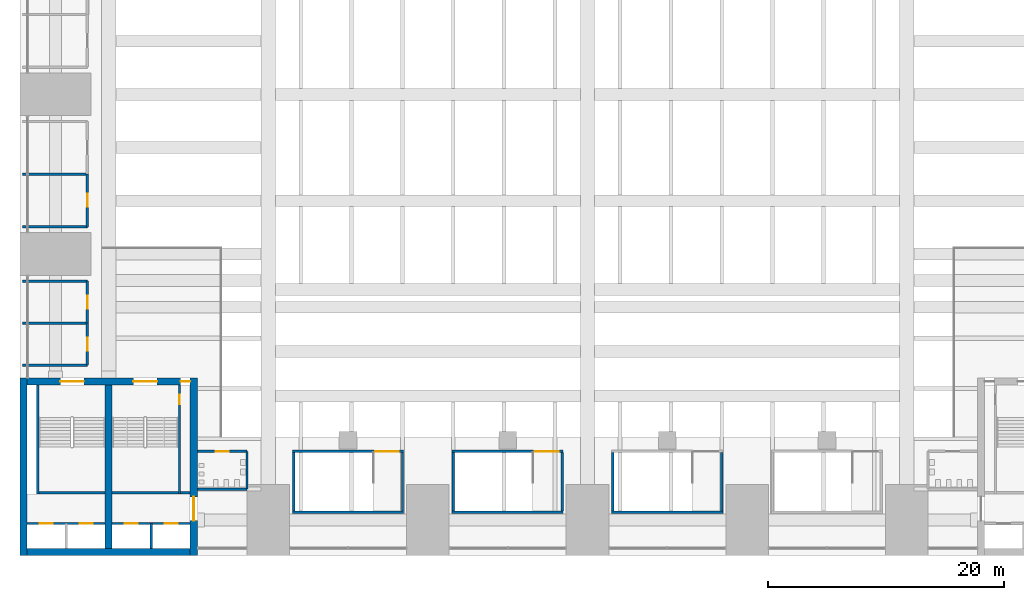
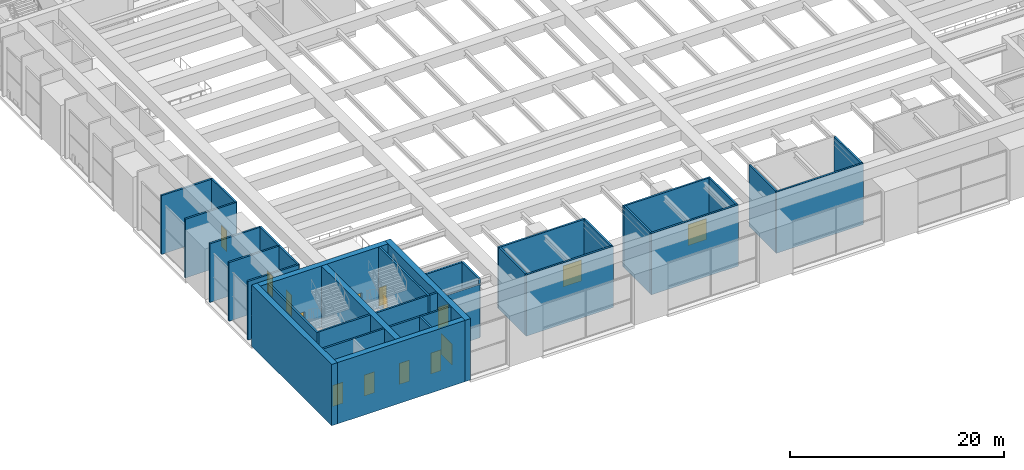
# One storey, part 25 of 45: 35 walls, 15 doors, 15 openings.
"""IFC4 building model written with IfcOpenShell, lengths in metres."""

from ifc_helpers import new_model, si_unit, direction, frame, frame_2d, origin, place, context, subcontext, project, spatial, rectangle, extrude, material, layer, layer_set, type_object, element, fill, save


model = new_model("IFC4")

# Units and contexts
model_context = context("Model", 3, precision=1e-05, world=origin(), true_north=direction((0.0, 1.0)))
body_context = subcontext(model_context, "Body", "Model", "MODEL_VIEW")
ifc_project = project(units=[si_unit("LENGTHUNIT", "METRE"), si_unit("AREAUNIT", "SQUARE_METRE"), si_unit("VOLUMEUNIT", "CUBIC_METRE"), si_unit("PLANEANGLEUNIT", "RADIAN"), si_unit("MASSUNIT", "GRAM", prefix="KILO")], contexts=[model_context])

# Site, building, storey
site_placement = place(None, origin())
site = spatial("IfcSite", under=ifc_project, at=site_placement, CompositionType="ELEMENT")
building_placement = place(site_placement, origin())
building = spatial("IfcBuilding", under=site, at=building_placement, Name="Corbelhall Arena Tower", CompositionType="ELEMENT")
storey_placement = place(building_placement, frame((0.0, 0.0, 37.0)))
storey = spatial("IfcBuildingStorey", under=building, at=storey_placement, Name="L05", CompositionType="ELEMENT", Elevation=37.0)

# Wall, opening, door
ifc_material_1 = material(Name="Gypsum board on steel studs", Category="steel")
ifc_layer_1 = layer(ifc_material_1, 0.199951171875)
ifc_layer_set_1 = layer_set([ifc_layer_1], Name="AR-ROOM-WALL")
wall_type_1 = type_object("IfcWallType", Name="AR-ROOM-WALL", PredefinedType="PARTITIONING", material=ifc_layer_set_1)
wall_1_placement = place(storey_placement, frame((-42.300048828125, -11.199951171875, 0.0), z_axis=(0.0, 0.0, 1.0), x_axis=(0.0, 1.0, 0.0)))
wall_1 = element("IfcWall", 1, at=wall_1_placement, inside=storey, type_object=wall_type_1, Name="Press office 5 wall", PredefinedType="PARTITIONING", context=body_context, shape_type="SweptSolid", body=[
    extrude(rectangle(XDim=4.449951171875, YDim=0.199951171875, at=frame_2d((2.22509765625, 0.0))), origin(), (0.0, 0.0, 1.0), 6.699951171875),
])
opening_1_placement = place(wall_1_placement, frame((1.675048828125, 0.0, 0.0)))
opening_1 = element("IfcOpeningElement", 2, at=opening_1_placement, cuts=wall_1, Name="Opening DA0449", PredefinedType="OPENING", context=body_context, shape_type="SweptSolid", body=[
    extrude(rectangle(XDim=1.10009765625, YDim=2.39990234375, at=frame_2d((0.550048828125, 1.199951171875))), frame((0.0, 0.10009765625, 0.0), z_axis=(0.0, -1.0, 0.0), x_axis=(1.0, 0.0, 0.0)), (0.0, 0.0, 1.0), 0.199951171875),
])
ifc_material_2 = material(Name="Timber", Category="wood")
door_type_1 = type_object("IfcDoorType", Name="AR-ROOM-DOOR", OperationType="DOUBLE_DOOR_SINGLE_SWING", PredefinedType="DOOR", material=ifc_material_2)
door_1_placement = place(opening_1_placement, origin())
door_1 = element("IfcDoor", 3, at=door_1_placement, inside=storey, type_object=door_type_1, Name="Press office 5 door", OperationType="DOUBLE_DOOR_SINGLE_SWING", OverallHeight=2.39990234375, OverallWidth=1.10009765625, PredefinedType="DOOR", context=body_context, shape_type="SweptSolid", body=[
    extrude(rectangle(XDim=1.10009765625, YDim=2.39990234375, at=frame_2d((0.550048828125, 1.199951171875))), frame((0.0, 0.02490234375, 0.0), z_axis=(0.0, -1.0, 0.0), x_axis=(1.0, 0.0, 0.0)), (0.0, 0.0, 1.0), 0.050048828125),
])
fill(opening_1, door_1)

# Walls
for number, where, z_axis, x_axis, name in (
    (4, (-42.300048828125, -11.199951171875, 0.0), (0.0, 0.0, 1.0), (-1.0, 0.0, 0.0), "Press office 5 end wall"),
    (5, (-47.800048828125, -6.75, 0.0), (0.0, 0.0, 1.0), (1.0, 0.0, 0.0), "Press office 5 partition"),
):
    element("IfcWall", number, at=place(storey_placement, frame(where, z_axis=z_axis, x_axis=x_axis)), inside=storey, type_object=wall_type_1, Name=name, PredefinedType="PARTITIONING", context=body_context, shape_type="SweptSolid", body=[
        extrude(rectangle(XDim=5.5, YDim=0.199951171875, at=frame_2d((2.75, 0.0))), origin(), (0.0, 0.0, 1.0), 6.699951171875),
    ])

# Wall, opening, door
wall_2_placement = place(storey_placement, frame((-42.300048828125, -22.89990234375, 0.0), z_axis=(0.0, 0.0, 1.0), x_axis=(0.0, 1.0, 0.0)))
wall_2 = element("IfcWall", 6, at=wall_2_placement, inside=storey, type_object=wall_type_1, Name="Broadcast office 4 wall", PredefinedType="PARTITIONING", context=body_context, shape_type="SweptSolid", body=[
    extrude(rectangle(XDim=3.5498046875, YDim=0.199951171875, at=frame_2d((1.77490234375, 0.0))), origin(), (0.0, 0.0, 1.0), 6.699951171875),
])
opening_2_placement = place(wall_2_placement, frame((1.22509765625, 0.0, 0.0)))
opening_2 = element("IfcOpeningElement", 7, at=opening_2_placement, cuts=wall_2, Name="Opening DA0453", PredefinedType="OPENING", context=body_context, shape_type="SweptSolid", body=[
    extrude(rectangle(XDim=1.10009765625, YDim=2.39990234375, at=frame_2d((0.550048828125, 1.199951171875))), frame((0.0, 0.10009765625, 0.0), z_axis=(0.0, -1.0, 0.0), x_axis=(1.0, 0.0, 0.0)), (0.0, 0.0, 1.0), 0.199951171875),
])
door_2_placement = place(opening_2_placement, origin())
door_2 = element("IfcDoor", 8, at=door_2_placement, inside=storey, type_object=door_type_1, Name="Broadcast office 4 door", OperationType="DOUBLE_DOOR_SINGLE_SWING", OverallHeight=2.39990234375, OverallWidth=1.10009765625, PredefinedType="DOOR", context=body_context, shape_type="SweptSolid", body=[
    extrude(rectangle(XDim=1.10009765625, YDim=2.39990234375, at=frame_2d((0.550048828125, 1.199951171875))), frame((0.0, 0.02490234375, 0.0), z_axis=(0.0, -1.0, 0.0), x_axis=(1.0, 0.0, 0.0)), (0.0, 0.0, 1.0), 0.050048828125),
])
fill(opening_2, door_2)

# Walls
for number, where, z_axis, x_axis, name in (
    (9, (-42.300048828125, -22.89990234375, 0.0), (0.0, 0.0, 1.0), (-1.0, 0.0, 0.0), "Broadcast office 4 end wall"),
    (10, (-47.800048828125, -19.35009765625, 0.0), (0.0, 0.0, 1.0), (1.0, 0.0, 0.0), "Broadcast office 4 partition"),
):
    element("IfcWall", number, at=place(storey_placement, frame(where, z_axis=z_axis, x_axis=x_axis)), inside=storey, type_object=wall_type_1, Name=name, PredefinedType="PARTITIONING", context=body_context, shape_type="SweptSolid", body=[
        extrude(rectangle(XDim=5.5, YDim=0.199951171875, at=frame_2d((2.75, 0.0))), origin(), (0.0, 0.0, 1.0), 6.699951171875),
    ])

# Wall, opening, door
wall_3_placement = place(storey_placement, frame((-42.300048828125, -19.35009765625, 0.0), z_axis=(0.0, 0.0, 1.0), x_axis=(0.0, 1.0, 0.0)))
wall_3 = element("IfcWall", 11, at=wall_3_placement, inside=storey, type_object=wall_type_1, Name="Press office 6 wall", PredefinedType="PARTITIONING", context=body_context, shape_type="SweptSolid", body=[
    extrude(rectangle(XDim=3.550048828125, YDim=0.199951171875, at=frame_2d((1.77490234375, 0.0))), origin(), (0.0, 0.0, 1.0), 6.699951171875),
])
opening_3_placement = place(wall_3_placement, frame((1.22509765625, 0.0, 0.0)))
opening_3 = element("IfcOpeningElement", 12, at=opening_3_placement, cuts=wall_3, Name="Opening DA0454", PredefinedType="OPENING", context=body_context, shape_type="SweptSolid", body=[
    extrude(rectangle(XDim=1.10009765625, YDim=2.39990234375, at=frame_2d((0.550048828125, 1.199951171875))), frame((0.0, 0.10009765625, 0.0), z_axis=(0.0, -1.0, 0.0), x_axis=(1.0, 0.0, 0.0)), (0.0, 0.0, 1.0), 0.199951171875),
])
door_3_placement = place(opening_3_placement, origin())
door_3 = element("IfcDoor", 13, at=door_3_placement, inside=storey, type_object=door_type_1, Name="Press office 6 door", OperationType="DOUBLE_DOOR_SINGLE_SWING", OverallHeight=2.39990234375, OverallWidth=1.10009765625, PredefinedType="DOOR", context=body_context, shape_type="SweptSolid", body=[
    extrude(rectangle(XDim=1.10009765625, YDim=2.39990234375, at=frame_2d((0.550048828125, 1.199951171875))), frame((0.0, 0.02490234375, 0.0), z_axis=(0.0, -1.0, 0.0), x_axis=(1.0, 0.0, 0.0)), (0.0, 0.0, 1.0), 0.050048828125),
])
fill(opening_3, door_3)

# Wall
wall_4_placement = place(storey_placement, frame((-42.300048828125, -15.800048828125, 0.0), z_axis=(0.0, 0.0, 1.0), x_axis=(-1.0, 0.0, 0.0)))
element("IfcWall", 14, at=wall_4_placement, inside=storey, type_object=wall_type_1, Name="Press office 6 end wall", PredefinedType="PARTITIONING", context=body_context, shape_type="SweptSolid", body=[
    extrude(rectangle(XDim=5.5, YDim=0.199951171875, at=frame_2d((2.75, 0.0))), origin(), (0.0, 0.0, 1.0), 6.699951171875),
])

# Wall, opening, door
wall_5_placement = place(storey_placement, frame((-33.0, -30.199951171875, 0.0), z_axis=(0.0, 0.0, 1.0), x_axis=(1.0, 0.0, 0.0)))
wall_5 = element("IfcWall", 15, at=wall_5_placement, inside=storey, type_object=wall_type_1, Name="Men's WC 4 wall", PredefinedType="PARTITIONING", context=body_context, shape_type="SweptSolid", body=[
    extrude(rectangle(XDim=4.199951171875, YDim=0.199951171875, at=frame_2d((2.10009765625, 0.0))), origin(), (0.0, 0.0, 1.0), 6.699951171875),
])
opening_4_placement = place(wall_5_placement, frame((1.550048828125, 0.0, 0.0)))
opening_4 = element("IfcOpeningElement", 16, at=opening_4_placement, cuts=wall_5, Name="Opening DA0458", PredefinedType="OPENING", context=body_context, shape_type="SweptSolid", body=[
    extrude(rectangle(XDim=1.10009765625, YDim=2.39990234375, at=frame_2d((0.550048828125, 1.199951171875))), frame((0.0, 0.10009765625, 0.0), z_axis=(0.0, -1.0, 0.0), x_axis=(1.0, 0.0, 0.0)), (0.0, 0.0, 1.0), 0.199951171875),
])
door_4_placement = place(opening_4_placement, origin())
door_4 = element("IfcDoor", 17, at=door_4_placement, inside=storey, type_object=door_type_1, Name="Men's WC 4 door", OperationType="DOUBLE_DOOR_SINGLE_SWING", OverallHeight=2.39990234375, OverallWidth=1.10009765625, PredefinedType="DOOR", context=body_context, shape_type="SweptSolid", body=[
    extrude(rectangle(XDim=1.10009765625, YDim=2.39990234375, at=frame_2d((0.550048828125, 1.199951171875))), frame((0.0, 0.02490234375, 0.0), z_axis=(0.0, -1.0, 0.0), x_axis=(1.0, 0.0, 0.0)), (0.0, 0.0, 1.0), 0.050048828125),
])
fill(opening_4, door_4)

# Walls
wall_6_placement = place(storey_placement, frame((-28.800048828125, -33.39990234375, 0.0), z_axis=(0.0, 0.0, 1.0), x_axis=(0.0, 1.0, 0.0)))
element("IfcWall", 18, at=wall_6_placement, inside=storey, type_object=wall_type_1, Name="Men's WC 4 side wall", PredefinedType="PARTITIONING", context=body_context, shape_type="SweptSolid", body=[
    extrude(rectangle(XDim=3.199951171875, YDim=0.199951171875, at=frame_2d((1.60009765625, 0.0))), origin(), (0.0, 0.0, 1.0), 6.699951171875),
])
wall_7_placement = place(storey_placement, frame((-34.409912109375, -33.699951171875, 0.0), z_axis=(0.0, 0.0, 1.0), x_axis=(1.0, 0.0, 0.0)))
element("IfcWall", 19, at=wall_7_placement, inside=storey, type_object=wall_type_1, Name="Electrical plant room 04 wall", PredefinedType="PARTITIONING", context=body_context, shape_type="SweptSolid", body=[
    extrude(rectangle(XDim=0.809814453125, YDim=0.199951171875, at=frame_2d((0.40478515625, 0.0))), origin(), (0.0, 0.0, 1.0), 7.0),
])
ifc_layer_2 = layer(ifc_material_1, 0.199951171875)
ifc_layer_set_2 = layer_set([ifc_layer_2], Name="AR-ROOM-WALL under beam 611 mm")
wall_type_2 = type_object("IfcWallType", Name="AR-ROOM-WALL under beam 611 mm", PredefinedType="PARTITIONING", material=ifc_layer_set_2)
wall_8_placement = place(storey_placement, frame((-33.0, -33.39990234375, 0.0), z_axis=(0.0, 0.0, 1.0), x_axis=(1.0, 0.0, 0.0)))
element("IfcWall", 20, at=wall_8_placement, inside=storey, type_object=wall_type_2, Name="Men's WC 4 far wall", PredefinedType="PARTITIONING", context=body_context, shape_type="SweptSolid", body=[
    extrude(rectangle(XDim=4.199951171875, YDim=0.199951171875, at=frame_2d((2.10009765625, 0.0))), origin(), (0.0, 0.0, 1.0), 6.089111328125),
])

# Wall, openings, doors
ifc_material_3 = material(Name="Reinforced concrete C40/50", Category="concrete")
ifc_layer_3 = layer(ifc_material_3, 0.199951171875)
ifc_layer_set_3 = layer_set([ifc_layer_3], Name="AR-SHAFT-WALL")
wall_type_3 = type_object("IfcWallType", Name="AR-SHAFT-WALL", PredefinedType="SHEAR", material=ifc_layer_set_3)
wall_9_placement = place(storey_placement, frame((-47.39990234375, -36.300048828125, 0.0), z_axis=(0.0, 0.0, 1.0), x_axis=(1.0, 0.0, 0.0)))
wall_9 = element("IfcWall", 21, at=wall_9_placement, inside=storey, type_object=wall_type_3, Name="Lift lobby wall SW", PredefinedType="SHEAR", context=body_context, shape_type="SweptSolid", body=[
    extrude(rectangle(XDim=6.599853515625, YDim=0.199951171875, at=frame_2d((3.2998046875, 0.0))), origin(), (0.0, 0.0, 1.0), 7.0),
])
opening_5_placement = place(wall_9_placement, frame((1.050048828125, 0.0, 0.0)))
opening_5 = element("IfcOpeningElement", 22, at=opening_5_placement, cuts=wall_9, Name="Opening LD0274", PredefinedType="OPENING", context=body_context, shape_type="SweptSolid", body=[
    extrude(rectangle(XDim=1.10009765625, YDim=2.39990234375, at=frame_2d((0.550048828125, 1.199951171875))), frame((0.0, 0.10009765625, 0.0), z_axis=(0.0, -1.0, 0.0), x_axis=(1.0, 0.0, 0.0)), (0.0, 0.0, 1.0), 0.199951171875),
])
opening_6_placement = place(wall_9_placement, frame((4.449951171875, 0.0, 0.0)))
opening_6 = element("IfcOpeningElement", 23, at=opening_6_placement, cuts=wall_9, Name="Opening LD0275", PredefinedType="OPENING", context=body_context, shape_type="SweptSolid", body=[
    extrude(rectangle(XDim=1.10009765625, YDim=2.39990234375, at=frame_2d((0.550048828125, 1.199951171875))), frame((0.0, 0.10009765625, 0.0), z_axis=(0.0, -1.0, 0.0), x_axis=(1.0, 0.0, 0.0)), (0.0, 0.0, 1.0), 0.199951171875),
])
ifc_material_4 = material(Name="Stainless steel A4", Category="steel")
door_type_2 = type_object("IfcDoorType", Name="AR-LANDING-DOOR", OperationType="DOUBLE_DOOR_SLIDING", PredefinedType="DOOR", material=ifc_material_4)
door_5_placement = place(opening_5_placement, frame((1.10009765625, 0.0, 0.0), z_axis=(0.0, 0.0, 1.0), x_axis=(-1.0, 0.0, 0.0)))
door_5 = element("IfcDoor", 24, at=door_5_placement, inside=storey, type_object=door_type_2, Name="Landing door SW LF3 L05", OperationType="DOUBLE_DOOR_SLIDING", OverallHeight=2.39990234375, OverallWidth=1.10009765625, PredefinedType="DOOR", context=body_context, shape_type="SweptSolid", body=[
    extrude(rectangle(XDim=1.10009765625, YDim=2.39990234375, at=frame_2d((0.550048828125, 1.199951171875))), frame((0.0, 0.02490234375, 0.0), z_axis=(0.0, -1.0, 0.0), x_axis=(1.0, 0.0, 0.0)), (0.0, 0.0, 1.0), 0.050048828125),
])
fill(opening_5, door_5)
door_6_placement = place(opening_6_placement, frame((1.10009765625, 0.0, 0.0), z_axis=(0.0, 0.0, 1.0), x_axis=(-1.0, 0.0, 0.0)))
door_6 = element("IfcDoor", 25, at=door_6_placement, inside=storey, type_object=door_type_2, Name="Landing door SW LF4 L05", OperationType="DOUBLE_DOOR_SLIDING", OverallHeight=2.39990234375, OverallWidth=1.10009765625, PredefinedType="DOOR", context=body_context, shape_type="SweptSolid", body=[
    extrude(rectangle(XDim=1.10009765625, YDim=2.39990234375, at=frame_2d((0.550048828125, 1.199951171875))), frame((0.0, 0.02490234375, 0.0), z_axis=(0.0, -1.0, 0.0), x_axis=(1.0, 0.0, 0.0)), (0.0, 0.0, 1.0), 0.050048828125),
])
fill(opening_6, door_6)

wall_10_placement = place(storey_placement, frame((-40.199951171875, -36.300048828125, 0.0), z_axis=(0.0, 0.0, 1.0), x_axis=(1.0, 0.0, 0.0)))
wall_10 = element("IfcWall", 26, at=wall_10_placement, inside=storey, type_object=wall_type_3, Name="Lift lobby wall SW", PredefinedType="SHEAR", context=body_context, shape_type="SweptSolid", body=[
    extrude(rectangle(XDim=6.599853515625, YDim=0.199951171875, at=frame_2d((3.2998046875, 0.0))), origin(), (0.0, 0.0, 1.0), 7.0),
])
opening_7_placement = place(wall_10_placement, frame((1.050048828125, 0.0, 0.0)))
opening_7 = element("IfcOpeningElement", 27, at=opening_7_placement, cuts=wall_10, Name="Opening LD0276", PredefinedType="OPENING", context=body_context, shape_type="SweptSolid", body=[
    extrude(rectangle(XDim=1.10009765625, YDim=2.39990234375, at=frame_2d((0.550048828125, 1.199951171875))), frame((0.0, 0.10009765625, 0.0), z_axis=(0.0, -1.0, 0.0), x_axis=(1.0, 0.0, 0.0)), (0.0, 0.0, 1.0), 0.199951171875),
])
opening_8_placement = place(wall_10_placement, frame((4.449951171875, 0.0, 0.0)))
opening_8 = element("IfcOpeningElement", 28, at=opening_8_placement, cuts=wall_10, Name="Opening LD0277", PredefinedType="OPENING", context=body_context, shape_type="SweptSolid", body=[
    extrude(rectangle(XDim=1.10009765625, YDim=2.39990234375, at=frame_2d((0.550048828125, 1.199951171875))), frame((0.0, 0.10009765625, 0.0), z_axis=(0.0, -1.0, 0.0), x_axis=(1.0, 0.0, 0.0)), (0.0, 0.0, 1.0), 0.199951171875),
])
door_7_placement = place(opening_7_placement, frame((1.10009765625, 0.0, 0.0), z_axis=(0.0, 0.0, 1.0), x_axis=(-1.0, 0.0, 0.0)))
door_7 = element("IfcDoor", 29, at=door_7_placement, inside=storey, type_object=door_type_2, Name="Landing door SW LF1 L05", OperationType="DOUBLE_DOOR_SLIDING", OverallHeight=2.39990234375, OverallWidth=1.10009765625, PredefinedType="DOOR", context=body_context, shape_type="SweptSolid", body=[
    extrude(rectangle(XDim=1.10009765625, YDim=2.39990234375, at=frame_2d((0.550048828125, 1.199951171875))), frame((0.0, 0.02490234375, 0.0), z_axis=(0.0, -1.0, 0.0), x_axis=(1.0, 0.0, 0.0)), (0.0, 0.0, 1.0), 0.050048828125),
])
fill(opening_7, door_7)
door_8_placement = place(opening_8_placement, frame((1.10009765625, 0.0, 0.0), z_axis=(0.0, 0.0, 1.0), x_axis=(-1.0, 0.0, 0.0)))
door_8 = element("IfcDoor", 30, at=door_8_placement, inside=storey, type_object=door_type_2, Name="Landing door SW LF2 L05", OperationType="DOUBLE_DOOR_SLIDING", OverallHeight=2.39990234375, OverallWidth=1.10009765625, PredefinedType="DOOR", context=body_context, shape_type="SweptSolid", body=[
    extrude(rectangle(XDim=1.10009765625, YDim=2.39990234375, at=frame_2d((0.550048828125, 1.199951171875))), frame((0.0, 0.02490234375, 0.0), z_axis=(0.0, -1.0, 0.0), x_axis=(1.0, 0.0, 0.0)), (0.0, 0.0, 1.0), 0.050048828125),
])
fill(opening_8, door_8)

# Wall
wall_11_placement = place(storey_placement, frame((-36.89990234375, -38.39990234375, 0.0), z_axis=(0.0, 0.0, 1.0), x_axis=(0.0, 1.0, 0.0)))
element("IfcWall", 31, at=wall_11_placement, inside=storey, type_object=wall_type_3, Name="Shaft wall SW", PredefinedType="SHEAR", context=body_context, shape_type="SweptSolid", body=[
    extrude(rectangle(XDim=2.099853515625, YDim=0.199951171875, at=frame_2d((1.0498046875, 0.0))), origin(), (0.0, 0.0, 1.0), 7.0),
])

# Wall, opening, door
ifc_layer_4 = layer(ifc_material_3, 0.199951171875)
ifc_layer_set_4 = layer_set([ifc_layer_4], Name="AR-STAIR-WALL")
wall_type_4 = type_object("IfcWallType", Name="AR-STAIR-WALL", PredefinedType="SOLIDWALL", material=ifc_layer_set_4)
wall_12_placement = place(storey_placement, frame((-15.550048828125, -30.199951171875, 0.0), z_axis=(0.0, 0.0, 1.0), x_axis=(-1.0, 0.0, 0.0)))
wall_12 = element("IfcWall", 32, at=wall_12_placement, inside=storey, type_object=wall_type_4, Name="Stair AS13 wall", PredefinedType="SOLIDWALL", context=body_context, shape_type="SweptSolid", body=[
    extrude(rectangle(XDim=9.39990234375, YDim=0.199951171875, at=frame_2d((4.699951171875, 0.0))), origin(), (0.0, 0.0, 1.0), 7.0),
])
opening_9_placement = place(wall_12_placement, frame((0.39990234375, 0.0, 0.0)))
opening_9 = element("IfcOpeningElement", 33, at=opening_9_placement, cuts=wall_12, Name="Opening DA0030", PredefinedType="OPENING", context=body_context, shape_type="SweptSolid", body=[
    extrude(rectangle(XDim=2.0, YDim=2.39990234375, at=frame_2d((1.0, 1.199951171875))), frame((0.0, 0.10009765625, 0.0), z_axis=(0.0, -1.0, 0.0), x_axis=(1.0, 0.0, 0.0)), (0.0, 0.0, 1.0), 0.199951171875),
])
ifc_material_5 = material(Name="Steel and glass", Category="steel")
door_type_3 = type_object("IfcDoorType", Name="AR-STAIR-DOOR", OperationType="DOUBLE_DOOR_SINGLE_SWING", PredefinedType="DOOR", material=ifc_material_5)
door_9_placement = place(opening_9_placement, origin())
door_9 = element("IfcDoor", 34, at=door_9_placement, inside=storey, type_object=door_type_3, Name="Stair AS13 door", OperationType="DOUBLE_DOOR_SINGLE_SWING", OverallHeight=2.39990234375, OverallWidth=2.0, PredefinedType="DOOR", context=body_context, shape_type="SweptSolid", body=[
    extrude(rectangle(XDim=2.0, YDim=2.39990234375, at=frame_2d((1.0, 1.199951171875))), frame((0.0, 0.02490234375, 0.0), z_axis=(0.0, -1.0, 0.0), x_axis=(1.0, 0.0, 0.0)), (0.0, 0.0, 1.0), 0.050048828125),
])
fill(opening_9, door_9)

# Walls
wall_13_placement = place(storey_placement, frame((-24.949951171875, -35.35009765625, 0.0), z_axis=(0.0, 0.0, 1.0), x_axis=(1.0, 0.0, 0.0)))
element("IfcWall", 35, at=wall_13_placement, inside=storey, type_object=wall_type_4, Name="Stair AS13 wall", PredefinedType="SOLIDWALL", context=body_context, shape_type="SweptSolid", body=[
    extrude(rectangle(XDim=9.39990234375, YDim=0.199951171875, at=frame_2d((4.699951171875, 0.0))), origin(), (0.0, 0.0, 1.0), 7.0),
])
for number, where, z_axis, x_axis, name in (
    (36, (-24.85009765625, -35.25, 0.0), (0.0, 0.0, 1.0), (0.0, 1.0, 0.0), "Stair AS13 wall"),
    (37, (-15.64990234375, -35.25, 0.0), (0.0, 0.0, 1.0), (0.0, 1.0, 0.0), "Stair AS13 wall"),
):
    element("IfcWall", number, at=place(storey_placement, frame(where, z_axis=z_axis, x_axis=x_axis)), inside=storey, type_object=wall_type_4, Name=name, PredefinedType="SOLIDWALL", context=body_context, shape_type="SweptSolid", body=[
        extrude(rectangle(XDim=4.949951171875, YDim=0.199951171875, at=frame_2d((2.47509765625, 0.0))), origin(), (0.0, 0.0, 1.0), 7.0),
    ])

# Wall, opening, door
wall_14_placement = place(storey_placement, frame((-2.050048828125, -30.199951171875, 0.0), z_axis=(0.0, 0.0, 1.0), x_axis=(-1.0, 0.0, 0.0)))
wall_14 = element("IfcWall", 38, at=wall_14_placement, inside=storey, type_object=wall_type_4, Name="Stair AS14 wall", PredefinedType="SOLIDWALL", context=body_context, shape_type="SweptSolid", body=[
    extrude(rectangle(XDim=9.39990234375, YDim=0.199951171875, at=frame_2d((4.699951171875, 0.0))), origin(), (0.0, 0.0, 1.0), 7.0),
])
opening_10_placement = place(wall_14_placement, frame((0.39990234375, 0.0, 0.0)))
opening_10 = element("IfcOpeningElement", 39, at=opening_10_placement, cuts=wall_14, Name="Opening DA0036", PredefinedType="OPENING", context=body_context, shape_type="SweptSolid", body=[
    extrude(rectangle(XDim=2.0, YDim=2.39990234375, at=frame_2d((1.0, 1.199951171875))), frame((0.0, 0.10009765625, 0.0), z_axis=(0.0, -1.0, 0.0), x_axis=(1.0, 0.0, 0.0)), (0.0, 0.0, 1.0), 0.199951171875),
])
door_10_placement = place(opening_10_placement, origin())
door_10 = element("IfcDoor", 40, at=door_10_placement, inside=storey, type_object=door_type_3, Name="Stair AS14 door", OperationType="DOUBLE_DOOR_SINGLE_SWING", OverallHeight=2.39990234375, OverallWidth=2.0, PredefinedType="DOOR", context=body_context, shape_type="SweptSolid", body=[
    extrude(rectangle(XDim=2.0, YDim=2.39990234375, at=frame_2d((1.0, 1.199951171875))), frame((0.0, 0.02490234375, 0.0), z_axis=(0.0, -1.0, 0.0), x_axis=(1.0, 0.0, 0.0)), (0.0, 0.0, 1.0), 0.050048828125),
])
fill(opening_10, door_10)

# Walls
wall_15_placement = place(storey_placement, frame((-11.449951171875, -35.35009765625, 0.0), z_axis=(0.0, 0.0, 1.0), x_axis=(1.0, 0.0, 0.0)))
element("IfcWall", 41, at=wall_15_placement, inside=storey, type_object=wall_type_4, Name="Stair AS14 wall", PredefinedType="SOLIDWALL", context=body_context, shape_type="SweptSolid", body=[
    extrude(rectangle(XDim=9.39990234375, YDim=0.199951171875, at=frame_2d((4.699951171875, 0.0))), origin(), (0.0, 0.0, 1.0), 7.0),
])
for number, where, z_axis, x_axis, name in (
    (42, (-11.35009765625, -35.25, 0.0), (0.0, 0.0, 1.0), (0.0, 1.0, 0.0), "Stair AS14 wall"),
    (43, (-2.14990234375, -35.25, 0.0), (0.0, 0.0, 1.0), (0.0, 1.0, 0.0), "Stair AS14 wall"),
):
    element("IfcWall", number, at=place(storey_placement, frame(where, z_axis=z_axis, x_axis=x_axis)), inside=storey, type_object=wall_type_4, Name=name, PredefinedType="SOLIDWALL", context=body_context, shape_type="SweptSolid", body=[
        extrude(rectangle(XDim=4.949951171875, YDim=0.199951171875, at=frame_2d((2.47509765625, 0.0))), origin(), (0.0, 0.0, 1.0), 7.0),
    ])
wall_16_placement = place(storey_placement, frame((2.050048828125, -35.35009765625, 0.0), z_axis=(0.0, 0.0, 1.0), x_axis=(1.0, 0.0, 0.0)))
element("IfcWall", 44, at=wall_16_placement, inside=storey, type_object=wall_type_4, Name="Stair AS15 wall", PredefinedType="SOLIDWALL", context=body_context, shape_type="SweptSolid", body=[
    extrude(rectangle(XDim=9.39990234375, YDim=0.199951171875, at=frame_2d((4.699951171875, 0.0))), origin(), (0.0, 0.0, 1.0), 7.0),
])
for number, where, z_axis, x_axis, name in (
    (45, (2.14990234375, -35.25, 0.0), (0.0, 0.0, 1.0), (0.0, 1.0, 0.0), "Stair AS15 wall"),
    (46, (11.35009765625, -35.25, 0.0), (0.0, 0.0, 1.0), (0.0, 1.0, 0.0), "Stair AS15 wall"),
):
    element("IfcWall", number, at=place(storey_placement, frame(where, z_axis=z_axis, x_axis=x_axis)), inside=storey, type_object=wall_type_4, Name=name, PredefinedType="SOLIDWALL", context=body_context, shape_type="SweptSolid", body=[
        extrude(rectangle(XDim=4.949951171875, YDim=0.199951171875, at=frame_2d((2.47509765625, 0.0))), origin(), (0.0, 0.0, 1.0), 7.0),
    ])

# Wall, opening, door
wall_17_placement = place(storey_placement, frame((-34.510009765625, -33.800048828125, 0.0), z_axis=(0.0, 0.0, 1.0), x_axis=(0.0, 1.0, 0.0)))
wall_17 = element("IfcWall", 47, at=wall_17_placement, inside=storey, type_object=wall_type_4, Name="Stair AS7 wall", PredefinedType="SOLIDWALL", context=body_context, shape_type="SweptSolid", body=[
    extrude(rectangle(XDim=9.199951171875, YDim=0.199951171875, at=frame_2d((4.60009765625, 0.0))), origin(), (0.0, 0.0, 1.0), 7.0),
])
opening_11_placement = place(wall_17_placement, frame((7.60009765625, 0.0, 0.0)))
opening_11 = element("IfcOpeningElement", 48, at=opening_11_placement, cuts=wall_17, Name="Opening DA0482", PredefinedType="OPENING", context=body_context, shape_type="SweptSolid", body=[
    extrude(rectangle(XDim=0.800048828125, YDim=2.10009765625, at=frame_2d((0.39990234375, 1.050048828125))), frame((0.0, 0.10009765625, 0.0), z_axis=(0.0, -1.0, 0.0), x_axis=(1.0, 0.0, 0.0)), (0.0, 0.0, 1.0), 0.199951171875),
])
ifc_material_6 = material(Name="Steel", Category="steel")
door_type_4 = type_object("IfcDoorType", Name="AR-PLANT-DOOR", OperationType="SINGLE_SWING_LEFT", PredefinedType="DOOR", material=ifc_material_6)
door_11_placement = place(opening_11_placement, origin())
door_11 = element("IfcDoor", 49, at=door_11_placement, inside=storey, type_object=door_type_4, Name="Electrical plant room 04 stair door", OperationType="SINGLE_SWING_LEFT", OverallHeight=2.10009765625, OverallWidth=0.800048828125, PredefinedType="DOOR", context=body_context, shape_type="SweptSolid", body=[
    extrude(rectangle(XDim=0.800048828125, YDim=2.10009765625, at=frame_2d((0.39990234375, 1.050048828125))), frame((0.0, 0.02490234375, 0.0), z_axis=(0.0, -1.0, 0.0), x_axis=(1.0, 0.0, 0.0)), (0.0, 0.0, 1.0), 0.050048828125),
])
fill(opening_11, door_11)

# Walls
wall_18_placement = place(storey_placement, frame((-40.199951171875, -33.699951171875, 0.0), z_axis=(0.0, 0.0, 1.0), x_axis=(1.0, 0.0, 0.0)))
element("IfcWall", 50, at=wall_18_placement, inside=storey, type_object=wall_type_4, Name="Stair AS7 wall", PredefinedType="SOLIDWALL", context=body_context, shape_type="SweptSolid", body=[
    extrude(rectangle(XDim=5.58984375, YDim=0.199951171875, at=frame_2d((2.794921875, 0.0))), origin(), (0.0, 0.0, 1.0), 7.0),
])
wall_19_placement = place(storey_placement, frame((-46.489990234375, -33.800048828125, 0.0), z_axis=(0.0, 0.0, 1.0), x_axis=(0.0, 1.0, 0.0)))
element("IfcWall", 51, at=wall_19_placement, inside=storey, type_object=wall_type_4, Name="Stair AS8 wall", PredefinedType="SOLIDWALL", context=body_context, shape_type="SweptSolid", body=[
    extrude(rectangle(XDim=9.199951171875, YDim=0.199951171875, at=frame_2d((4.60009765625, 0.0))), origin(), (0.0, 0.0, 1.0), 7.0),
])
wall_20_placement = place(storey_placement, frame((-46.389892578125, -33.699951171875, 0.0), z_axis=(0.0, 0.0, 1.0), x_axis=(1.0, 0.0, 0.0)))
element("IfcWall", 52, at=wall_20_placement, inside=storey, type_object=wall_type_4, Name="Stair AS8 wall", PredefinedType="SOLIDWALL", context=body_context, shape_type="SweptSolid", body=[
    extrude(rectangle(XDim=5.58984375, YDim=0.199951171875, at=frame_2d((2.794921875, 0.0))), origin(), (0.0, 0.0, 1.0), 7.0),
])

# Wall, openings, doors
ifc_material_7 = material(Name="Concrete C80/95", Category="concrete")
ifc_layer_5 = layer(ifc_material_7, 0.60009765625)
ifc_layer_set_5 = layer_set([ifc_layer_5], Name="PO-CORE-WALL")
wall_type_5 = type_object("IfcWallType", Name="PO-CORE-WALL", PredefinedType="SHEAR", material=ifc_layer_set_5)
wall_21_placement = place(storey_placement, frame((-47.39990234375, -24.300048828125, 0.0), z_axis=(0.0, 0.0, 1.0), x_axis=(1.0, 0.0, 0.0)))
wall_21 = element("IfcWall", 53, at=wall_21_placement, inside=storey, type_object=wall_type_5, Name="CORE SW WALL N L05", PredefinedType="SHEAR", context=body_context, shape_type="SweptSolid", body=[
    extrude(rectangle(XDim=13.7998046875, YDim=0.60009765625, at=frame_2d((6.89990234375, 0.0))), origin(), (0.0, 0.0, 1.0), 7.0),
])
opening_12_placement = place(wall_21_placement, frame((8.9951171875, 0.0, 0.0)))
opening_12 = element("IfcOpeningElement", 54, at=opening_12_placement, cuts=wall_21, Name="Opening DA0106", PredefinedType="OPENING", context=body_context, shape_type="SweptSolid", body=[
    extrude(rectangle(XDim=2.0, YDim=2.39990234375, at=frame_2d((1.0, 1.199951171875))), frame((0.0, 0.300048828125, 0.0), z_axis=(0.0, -1.0, 0.0), x_axis=(1.0, 0.0, 0.0)), (0.0, 0.0, 1.0), 0.60009765625),
])
opening_13_placement = place(wall_21_placement, frame((2.804931640625, 0.0, 0.0)))
opening_13 = element("IfcOpeningElement", 55, at=opening_13_placement, cuts=wall_21, Name="Opening DA0114", PredefinedType="OPENING", context=body_context, shape_type="SweptSolid", body=[
    extrude(rectangle(XDim=2.0, YDim=2.39990234375, at=frame_2d((1.0, 1.199951171875))), frame((0.0, 0.300048828125, 0.0), z_axis=(0.0, -1.0, 0.0), x_axis=(1.0, 0.0, 0.0)), (0.0, 0.0, 1.0), 0.60009765625),
])
opening_14_placement = place(wall_21_placement, frame((12.9951171875, 0.0, 0.0)))
opening_14 = element("IfcOpeningElement", 56, at=opening_14_placement, cuts=wall_21, Name="Opening DA0481", PredefinedType="OPENING", context=body_context, shape_type="SweptSolid", body=[
    extrude(rectangle(XDim=0.800048828125, YDim=2.10009765625, at=frame_2d((0.39990234375, 1.050048828125))), frame((0.0, 0.300048828125, 0.0), z_axis=(0.0, -1.0, 0.0), x_axis=(1.0, 0.0, 0.0)), (0.0, 0.0, 1.0), 0.60009765625),
])
door_12_placement = place(opening_14_placement, origin())
door_12 = element("IfcDoor", 57, at=door_12_placement, inside=storey, type_object=door_type_4, Name="Electrical plant room 04 door", OperationType="SINGLE_SWING_LEFT", OverallHeight=2.10009765625, OverallWidth=0.800048828125, PredefinedType="DOOR", context=body_context, shape_type="SweptSolid", body=[
    extrude(rectangle(XDim=0.800048828125, YDim=2.10009765625, at=frame_2d((0.39990234375, 1.050048828125))), frame((0.0, 0.02490234375, 0.0), z_axis=(0.0, -1.0, 0.0), x_axis=(1.0, 0.0, 0.0)), (0.0, 0.0, 1.0), 0.050048828125),
])
fill(opening_14, door_12)
door_13_placement = place(opening_12_placement, frame((2.0, 0.0, 0.0), z_axis=(0.0, 0.0, 1.0), x_axis=(-1.0, 0.0, 0.0)))
door_13 = element("IfcDoor", 58, at=door_13_placement, inside=storey, type_object=door_type_3, Name="Stair AS7 door", OperationType="DOUBLE_DOOR_SINGLE_SWING", OverallHeight=2.39990234375, OverallWidth=2.0, PredefinedType="DOOR", context=body_context, shape_type="SweptSolid", body=[
    extrude(rectangle(XDim=2.0, YDim=2.39990234375, at=frame_2d((1.0, 1.199951171875))), frame((0.0, 0.02490234375, 0.0), z_axis=(0.0, -1.0, 0.0), x_axis=(1.0, 0.0, 0.0)), (0.0, 0.0, 1.0), 0.050048828125),
])
fill(opening_12, door_13)
door_14_placement = place(opening_13_placement, frame((2.0, 0.0, 0.0), z_axis=(0.0, 0.0, 1.0), x_axis=(-1.0, 0.0, 0.0)))
door_14 = element("IfcDoor", 59, at=door_14_placement, inside=storey, type_object=door_type_3, Name="Stair AS8 door", OperationType="DOUBLE_DOOR_SINGLE_SWING", OverallHeight=2.39990234375, OverallWidth=2.0, PredefinedType="DOOR", context=body_context, shape_type="SweptSolid", body=[
    extrude(rectangle(XDim=2.0, YDim=2.39990234375, at=frame_2d((1.0, 1.199951171875))), frame((0.0, 0.02490234375, 0.0), z_axis=(0.0, -1.0, 0.0), x_axis=(1.0, 0.0, 0.0)), (0.0, 0.0, 1.0), 0.050048828125),
])
fill(opening_13, door_14)

# Walls
wall_22_placement = place(storey_placement, frame((-47.39990234375, -38.699951171875, 0.0), z_axis=(0.0, 0.0, 1.0), x_axis=(1.0, 0.0, 0.0)))
element("IfcWall", 60, at=wall_22_placement, inside=storey, type_object=wall_type_5, Name="CORE SW WALL S L05", PredefinedType="SHEAR", context=body_context, shape_type="SweptSolid", body=[
    extrude(rectangle(XDim=13.7998046875, YDim=0.60009765625, at=frame_2d((6.89990234375, 0.0))), origin(), (0.0, 0.0, 1.0), 7.0),
])
wall_23_placement = place(storey_placement, frame((-47.699951171875, -39.0, 0.0), z_axis=(0.0, 0.0, 1.0), x_axis=(0.0, 1.0, 0.0)))
element("IfcWall", 61, at=wall_23_placement, inside=storey, type_object=wall_type_5, Name="CORE SW WALL W L05", PredefinedType="SHEAR", context=body_context, shape_type="SweptSolid", body=[
    extrude(rectangle(XDim=15.0, YDim=0.60009765625, at=frame_2d((7.5, 0.0))), origin(), (0.0, 0.0, 1.0), 7.0),
])

# Wall, opening, door
wall_24_placement = place(storey_placement, frame((-33.300048828125, -39.0, 0.0), z_axis=(0.0, 0.0, 1.0), x_axis=(0.0, 1.0, 0.0)))
wall_24 = element("IfcWall", 62, at=wall_24_placement, inside=storey, type_object=wall_type_5, Name="CORE SW WALL E L05", PredefinedType="SHEAR", context=body_context, shape_type="SweptSolid", body=[
    extrude(rectangle(XDim=15.0, YDim=0.60009765625, at=frame_2d((7.5, 0.0))), origin(), (0.0, 0.0, 1.0), 7.0),
])
opening_15_placement = place(wall_24_placement, frame((2.949951171875, 0.0, 0.0)))
opening_15 = element("IfcOpeningElement", 63, at=opening_15_placement, cuts=wall_24, Name="Opening DA0278", PredefinedType="OPENING", context=body_context, shape_type="SweptSolid", body=[
    extrude(rectangle(XDim=2.0, YDim=2.39990234375, at=frame_2d((1.0, 1.199951171875))), frame((0.0, 0.300048828125, 0.0), z_axis=(0.0, -1.0, 0.0), x_axis=(1.0, 0.0, 0.0)), (0.0, 0.0, 1.0), 0.60009765625),
])
door_type_5 = type_object("IfcDoorType", Name="AR-CORE-DOOR", OperationType="DOUBLE_DOOR_SINGLE_SWING", PredefinedType="DOOR", material=ifc_material_5)
door_15_placement = place(opening_15_placement, origin())
door_15 = element("IfcDoor", 64, at=door_15_placement, inside=storey, type_object=door_type_5, Name="Core lobby door SW L05", OperationType="DOUBLE_DOOR_SINGLE_SWING", OverallHeight=2.39990234375, OverallWidth=2.0, PredefinedType="DOOR", context=body_context, shape_type="SweptSolid", body=[
    extrude(rectangle(XDim=2.0, YDim=2.39990234375, at=frame_2d((1.0, 1.199951171875))), frame((0.0, 0.02490234375, 0.0), z_axis=(0.0, -1.0, 0.0), x_axis=(1.0, 0.0, 0.0)), (0.0, 0.0, 1.0), 0.050048828125),
])
fill(opening_15, door_15)

# Wall
wall_25_placement = place(storey_placement, frame((-40.5, -38.39990234375, 0.0), z_axis=(0.0, 0.0, 1.0), x_axis=(0.0, 1.0, 0.0)))
element("IfcWall", 65, at=wall_25_placement, inside=storey, type_object=wall_type_5, Name="CORE SW WALL D L05", PredefinedType="SHEAR", context=body_context, shape_type="SweptSolid", body=[
    extrude(rectangle(XDim=13.7998046875, YDim=0.60009765625, at=frame_2d((6.89990234375, 0.0))), origin(), (0.0, 0.0, 1.0), 7.0),
])

save(model, "model.ifc")
